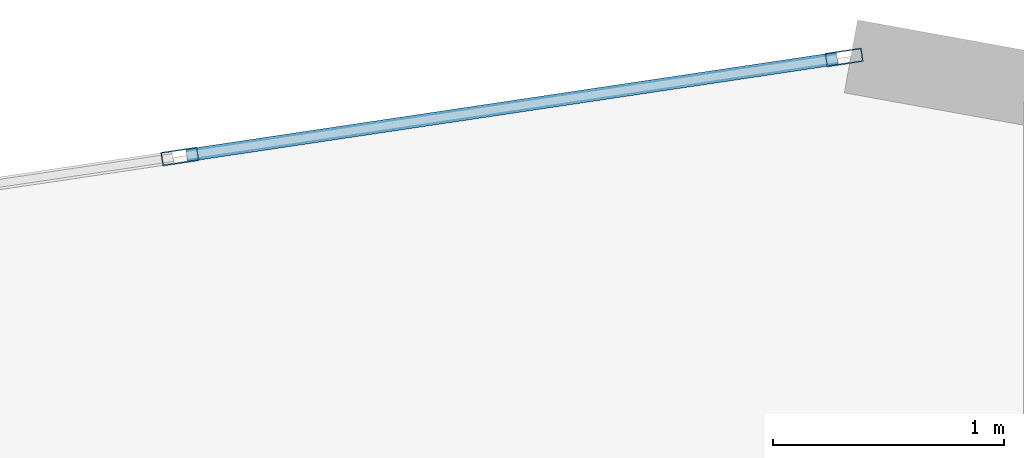
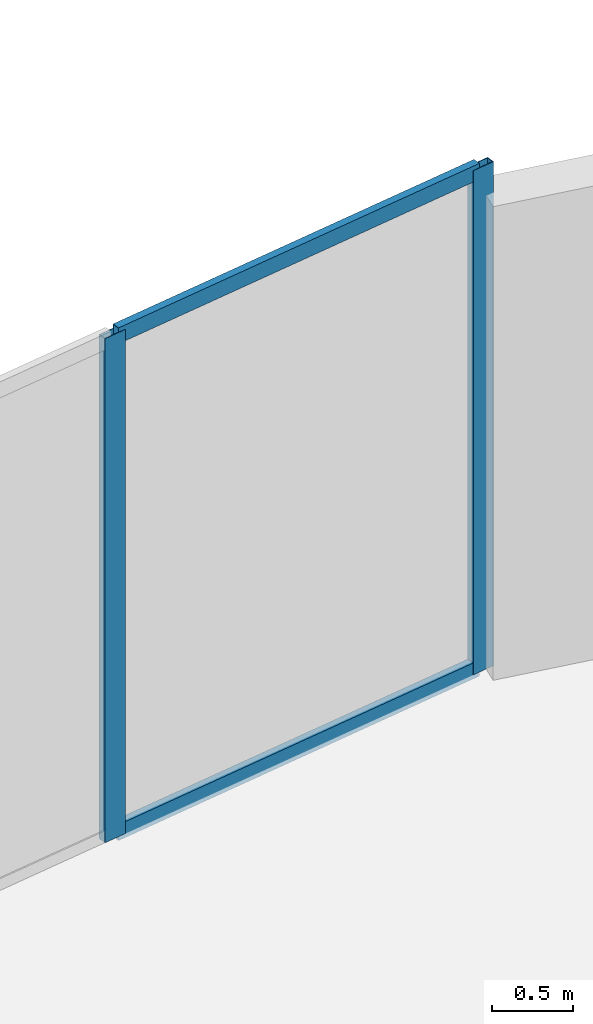
# One storey, part 15 of 23: 4 members, 1 element without a shape of its own.
"""IFC4 building model written with IfcOpenShell, lengths in metres."""

from ifc_helpers import new_model, si_unit, direction, frame, origin, origin_2d, place, context, subcontext, project, spatial, hollow_rectangle, extrude, source, transform, mapped, material, layer, layer_set, material_profile, profile_set, type_object, element, aggregate, save


model = new_model("IFC4")

# Units and contexts
model_context = context("Model", 3, precision=1e-05, world=origin(), true_north=direction((0.0, 1.0)))
body_context = subcontext(model_context, "Body", "Model", "MODEL_VIEW")
ifc_project = project(units=[si_unit("LENGTHUNIT", "METRE"), si_unit("AREAUNIT", "SQUARE_METRE"), si_unit("VOLUMEUNIT", "CUBIC_METRE"), si_unit("PLANEANGLEUNIT", "RADIAN"), si_unit("MASSUNIT", "GRAM", prefix="KILO")], contexts=[model_context])

# Site, building, storey
site_placement = place(None, origin())
site = spatial("IfcSite", under=ifc_project, at=site_placement, CompositionType="ELEMENT")
building_placement = place(site_placement, origin())
building = spatial("IfcBuilding", under=site, at=building_placement, Name="Solvirekh Grand Hotel", CompositionType="ELEMENT")
storey_placement = place(building_placement, frame((0.0, 0.0, 282.0)))
storey = spatial("IfcBuildingStorey", under=building, at=storey_placement, Name="L73", CompositionType="ELEMENT", Elevation=282.0)

# Curtain wall, members
ifc_material = material(Name="Anodized Bronze Aluminium 6063-T6", Category="aluminium")
ifc_layer = layer(ifc_material, 0.159912109375)
ifc_layer_set = layer_set([ifc_layer], Name="Anodized Bronze Aluminium 6063-T6")
curtain_wall_type = type_object("IfcCurtainWallType", Name="CW_Sys4_HighZoneFlushBronzeCW", PredefinedType="NOTDEFINED", material=ifc_layer_set)
curtain_wall_placement = place(storey_placement, origin())
curtain_wall = element("IfcCurtainWall", 1, at=curtain_wall_placement, inside=storey, type_object=curtain_wall_type, Name="L73 unitised bronze-glass curtain wall CW-L73-C11", PredefinedType="NOTDEFINED")
ifc_material_profile_1 = material_profile(ifc_material, hollow_rectangle(XDim=0.06005859375, YDim=0.159912109375, WallThickness=0.0048828125, at=origin_2d()), Name="ALU RHS 160X60X5")
ifc_profile_set_1 = profile_set([ifc_material_profile_1], Name="Anodized Bronze Aluminium 6063-T6")
member_type_1 = type_object("IfcMemberType", Name="CWMullion_Sys4", PredefinedType="MULLION", material=ifc_profile_set_1)
shared_shape_1 = source(origin(), body_context, "Body", "SweptSolid", [
    extrude(hollow_rectangle(XDim=0.06005859375, YDim=0.159912109375, WallThickness=0.0048828125, at=origin_2d()), origin(), (0.0, 0.0, 1.0), 3.800048828125),
])
member_1_placement = place(storey_placement, frame((-0.880615234375, 19.49365234375, 0.0), z_axis=(0.0, 0.0, 1.0), x_axis=(0.147474354669, -0.989065879866, 0.0)))
member_1 = element("IfcMember", 2, at=member_1_placement, type_object=member_type_1, Name="U04 mullion 1", PredefinedType="MULLION", context=body_context, shape_type="MappedRepresentation", body=[
    mapped(shared_shape_1, transform((0.0, 0.0, 0.0), x_axis=(1.0, 0.0, 0.0), y_axis=(0.0, 1.0, 0.0), z_axis=(0.0, 0.0, 1.0), scale=1.0)),
])
member_2_placement = place(storey_placement, frame((-3.7548828125, 19.06494140625, 0.0), z_axis=(0.0, 0.0, 1.0), x_axis=(0.147474354669, -0.989065879866, 0.0)))
member_2 = element("IfcMember", 3, at=member_2_placement, type_object=member_type_1, Name="U04 mullion 2", PredefinedType="MULLION", context=body_context, shape_type="MappedRepresentation", body=[
    mapped(shared_shape_1, transform((0.0, 0.0, 0.0), x_axis=(1.0, 0.0, 0.0), y_axis=(0.0, 1.0, 0.0), z_axis=(0.0, 0.0, 1.0), scale=1.0)),
])
ifc_material_profile_2 = material_profile(ifc_material, hollow_rectangle(XDim=0.054931640625, YDim=0.1201171875, WallThickness=0.00390625, at=origin_2d()), Name="ALU RHS 120X55X4")
ifc_profile_set_2 = profile_set([ifc_material_profile_2], Name="Anodized Bronze Aluminium 6063-T6")
member_type_2 = type_object("IfcMemberType", Name="CWTransom_Sys4", PredefinedType="USERDEFINED", material=ifc_profile_set_2)
shared_shape_2 = source(origin(), body_context, "Body", "SweptSolid", [
    extrude(hollow_rectangle(XDim=0.054931640625, YDim=0.1201171875, WallThickness=0.00390625, at=origin_2d()), origin(), (0.0, 0.0, 1.0), 2.84619140625),
])
member_3_placement = place(storey_placement, frame((-0.910400390625, 19.4892578125, 0.027587890625), z_axis=(-0.989055579892, -0.147543416948, 0.0), x_axis=(0.147543416948, -0.989055579892, 0.0)))
member_3 = element("IfcMember", 4, at=member_3_placement, type_object=member_type_2, Name="U04 transom 1.1", ObjectType="TRANSOM", PredefinedType="USERDEFINED", context=body_context, shape_type="MappedRepresentation", body=[
    mapped(shared_shape_2, transform((0.0, 0.0, 0.0), x_axis=(1.0, 0.0, 0.0), y_axis=(0.0, 1.0, 0.0), z_axis=(0.0, 0.0, 1.0), scale=1.0)),
])
member_4_placement = place(storey_placement, frame((-0.910400390625, 19.4892578125, 3.7724609375), z_axis=(-0.989055579892, -0.147543416948, 0.0), x_axis=(0.147543416948, -0.989055579892, 0.0)))
member_4 = element("IfcMember", 5, at=member_4_placement, type_object=member_type_2, Name="U04 transom 1.2", ObjectType="TRANSOM", PredefinedType="USERDEFINED", context=body_context, shape_type="MappedRepresentation", body=[
    mapped(shared_shape_2, transform((0.0, 0.0, 0.0), x_axis=(1.0, 0.0, 0.0), y_axis=(0.0, 1.0, 0.0), z_axis=(0.0, 0.0, 1.0), scale=1.0)),
])
aggregate(curtain_wall, [member_1, member_2, member_3, member_4])

save(model, "model.ifc")
